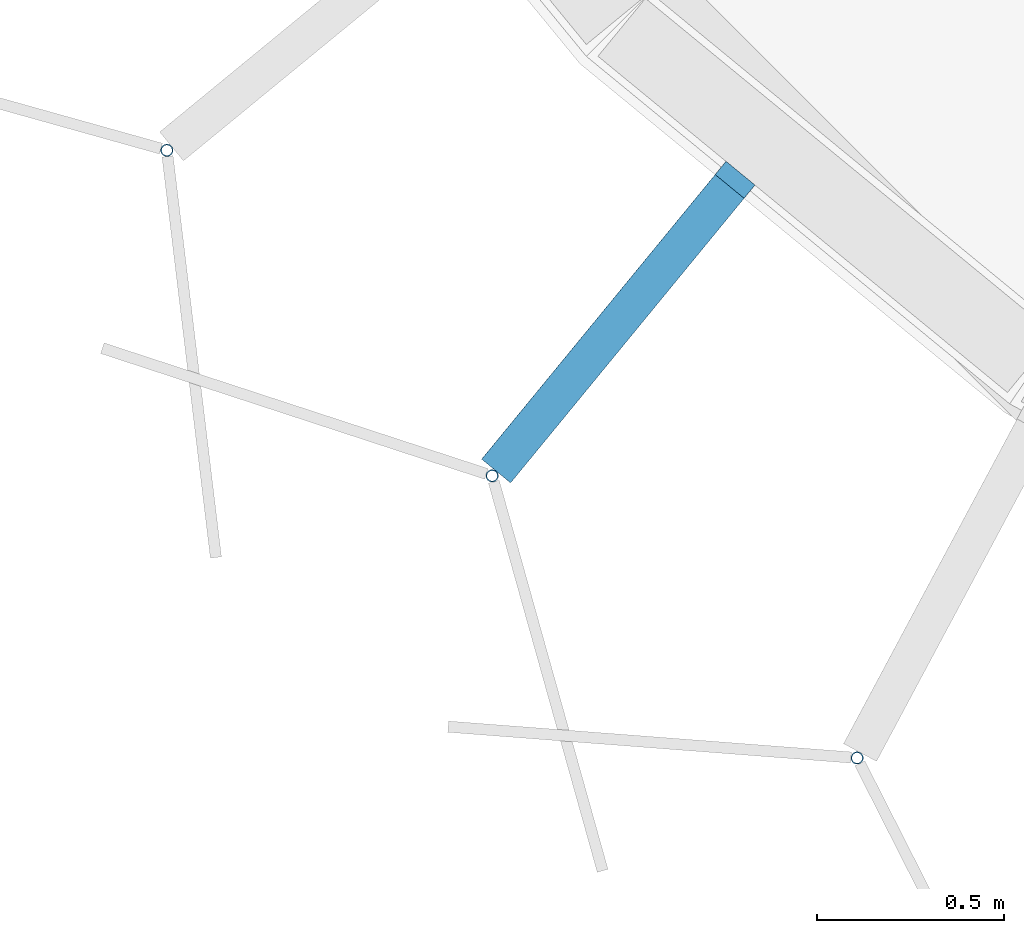
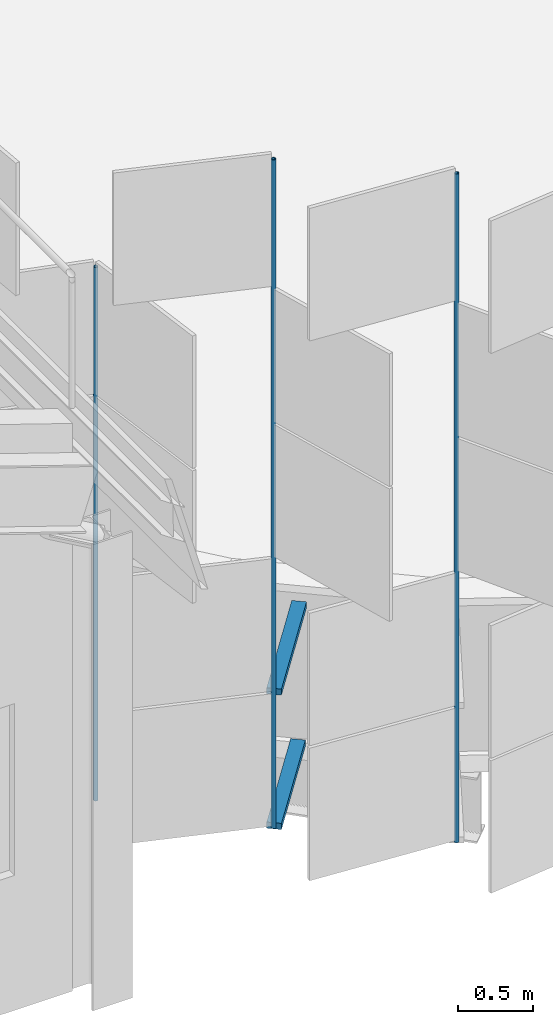
# One storey, part 164 of 483: 5 discrete accessories.
"""IFC4 building model written with IfcOpenShell, lengths in metres."""

from ifc_helpers import new_model, si_unit, direction, frame, origin, origin_2d, place, context, subcontext, project, spatial, rectangle, hollow_circle, extrude, material, material_profile, profile_set, type_object, element, save


model = new_model("IFC4")

# Units and contexts
model_context = context("Model", 3, precision=1e-05, world=origin(), true_north=direction((0.0, 1.0)))
body_context = subcontext(model_context, "Body", "Model", "MODEL_VIEW")
ifc_project = project(units=[si_unit("LENGTHUNIT", "METRE"), si_unit("AREAUNIT", "SQUARE_METRE"), si_unit("VOLUMEUNIT", "CUBIC_METRE"), si_unit("PLANEANGLEUNIT", "RADIAN"), si_unit("MASSUNIT", "GRAM", prefix="KILO")], contexts=[model_context])

# Site, building, storey
site_placement = place(None, origin())
site = spatial("IfcSite", under=ifc_project, at=site_placement, CompositionType="ELEMENT")
building_placement = place(site_placement, origin())
building = spatial("IfcBuilding", under=site, at=building_placement, Name="Parallax Yard Mobility Hub", CompositionType="ELEMENT")
storey_placement = place(building_placement, frame((0.0, 0.0, 13.199951171875)))
storey = spatial("IfcBuildingStorey", under=building, at=storey_placement, Name="L04", CompositionType="ELEMENT", Elevation=13.199951171875)

# Discrete accessories
ifc_material_1 = material(Name="Steel ASTM A36, hot-dip galvanised", Category="steel")
discrete_accessory_type_1 = type_object("IfcDiscreteAccessoryType", Name="Hinge bracket plate 100x50", PredefinedType="BRACKET", material=ifc_material_1)
discrete_accessory_1_placement = place(storey_placement, frame((197.284912109375, 23.988525390625, -0.02490234375), z_axis=(0.0, 0.0, 1.0), x_axis=(-0.634393284164, -0.773010453363, 0.0)))
element("IfcDiscreteAccessory", 1, at=discrete_accessory_1_placement, inside=storey, type_object=discrete_accessory_type_1, Name="Hinge bracket plate bay 30.7 level L04", PredefinedType="BRACKET", context=body_context, shape_type="SweptSolid", body=[
    extrude(rectangle(XDim=0.984130859375, YDim=0.10009765625, at=origin_2d()), origin(), (0.0, 0.0, 1.0), 0.050048828125),
])
discrete_accessory_2_placement = place(storey_placement, frame((197.29931640625, 24.00634765625, 1.06982421875), z_axis=(0.0, 0.0, 1.0), x_axis=(-0.634393284164, -0.773010453363, 0.0)))
element("IfcDiscreteAccessory", 2, at=discrete_accessory_2_placement, inside=storey, type_object=discrete_accessory_type_1, Name="Hinge bracket plate bay 30.7 level L04", PredefinedType="BRACKET", context=body_context, shape_type="SweptSolid", body=[
    extrude(rectangle(XDim=1.030029296875, YDim=0.10009765625, at=origin_2d()), origin(), (0.0, 0.0, 1.0), 0.050048828125),
])
ifc_material_2 = material(Name="Steel ASTM A500 Gr C, hot-dip galvanised", Category="steel")
ifc_material_profile = material_profile(ifc_material_2, hollow_circle(Radius=0.016845703125, WallThickness=0.003173828125, at=origin_2d()), Name="CHS 33.7x3.2")
ifc_profile_set = profile_set([ifc_material_profile], Name="Steel ASTM A500 Gr C, hot-dip galvanised")
discrete_accessory_type_2 = type_object("IfcDiscreteAccessoryType", Name="Hinge post CHS 33.7x3.2", PredefinedType="BRACKET", material=ifc_profile_set)
discrete_accessory_3_placement = place(storey_placement, frame((196.0927734375, 24.465576171875, 0.0), z_axis=(0.0, 0.0, 1.0), x_axis=(1.0, 0.0, 0.0)))
element("IfcDiscreteAccessory", 3, at=discrete_accessory_3_placement, inside=storey, type_object=discrete_accessory_type_2, Name="Hinge post bay 30.6 level L04", PredefinedType="BRACKET", context=body_context, shape_type="SweptSolid", body=[
    extrude(hollow_circle(Radius=0.016845703125, WallThickness=0.003173828125, at=origin_2d()), origin(), (0.0, 0.0, 1.0), 4.35009765625),
])
for number, where, z_axis, x_axis, name in (
    (4, (196.962158203125, 23.595458984375, 0.0), (0.0, 0.0, 1.0), (1.0, 0.0, 0.0), "Hinge post bay 30.7 level L04"),
    (5, (197.937744140625, 22.84130859375, 0.0), (0.0, 0.0, 1.0), (1.0, 0.0, 0.0), "Hinge post bay 30.8 level L04"),
):
    element("IfcDiscreteAccessory", number, at=place(storey_placement, frame(where, z_axis=z_axis, x_axis=x_axis)), inside=storey, type_object=discrete_accessory_type_2, Name=name, PredefinedType="BRACKET", context=body_context, shape_type="SweptSolid", body=[
        extrude(hollow_circle(Radius=0.016845703125, WallThickness=0.003173828125, at=origin_2d()), origin(), (0.0, 0.0, 1.0), 5.449951171875),
    ])

save(model, "model.ifc")
